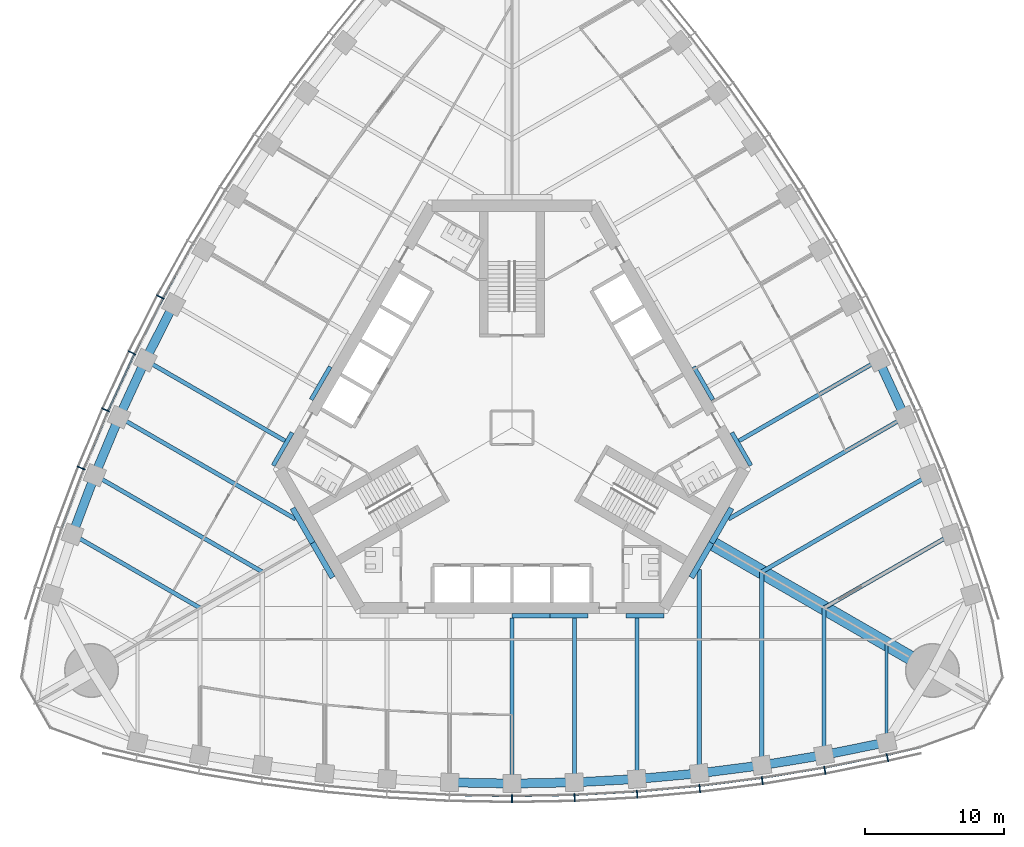
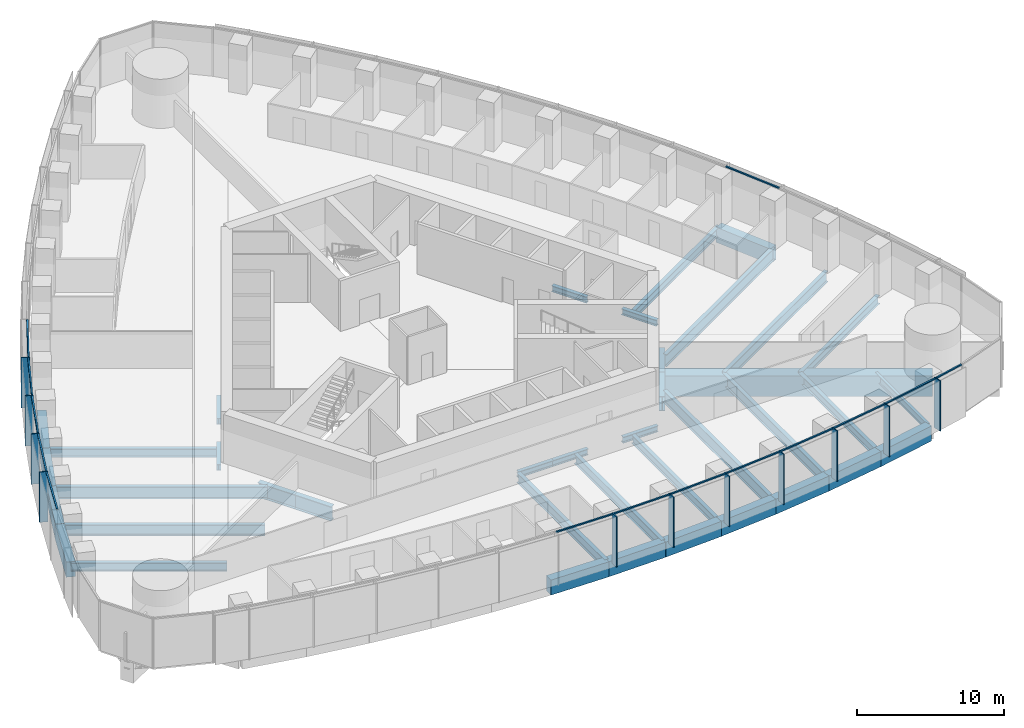
# One storey, part 3 of 19: 39 beams, 25 members, 3 elements without a shape of their own.
"""IFC4 building model written with IfcOpenShell, lengths in metres."""

from ifc_helpers import new_model, si_unit, direction, frame, origin, origin_2d, place, context, subcontext, project, spatial, rectangle, i_section, extrude, material, material_profile, profile_set, type_object, element, aggregate, save


model = new_model("IFC4")

# Units and contexts
model_context = context("Model", 3, precision=1e-05, world=origin(), true_north=direction((0.0, 1.0)))
body_context = subcontext(model_context, "Body", "Model", "MODEL_VIEW")
ifc_project = project(units=[si_unit("LENGTHUNIT", "METRE"), si_unit("AREAUNIT", "SQUARE_METRE"), si_unit("VOLUMEUNIT", "CUBIC_METRE"), si_unit("PLANEANGLEUNIT", "RADIAN"), si_unit("MASSUNIT", "GRAM", prefix="KILO")], contexts=[model_context])

# Site, building, storey
site_placement = place(None, origin())
site = spatial("IfcSite", under=ifc_project, at=site_placement, CompositionType="ELEMENT")
building_placement = place(site_placement, origin())
building = spatial("IfcBuilding", under=site, at=building_placement, Name="Trefoil Bronze Tower", CompositionType="ELEMENT")
storey_placement = place(building_placement, frame((0.0, 0.0, 136.699951171875)))
storey = spatial("IfcBuildingStorey", under=building, at=storey_placement, Name="L31", CompositionType="ELEMENT", Elevation=136.699951171875)

# Curtain wall, members
ifc_material_1 = material(Name="Tinted solar-control glass", Category="glass")
curtain_wall_type = type_object("IfcCurtainWallType", Name="Bronze office curtain wall", PredefinedType="USERDEFINED", material=ifc_material_1)
curtain_wall_1_placement = place(storey_placement, origin())
curtain_wall_1 = element("IfcCurtainWall", 1, at=curtain_wall_1_placement, inside=storey, type_object=curtain_wall_type, Name="CW-A L31 F1", ObjectType="CURTAIN WALL", PredefinedType="USERDEFINED")
ifc_material_2 = material(Name="Bronze-finish aluminium", Category="aluminium")
ifc_material_profile_1 = material_profile(ifc_material_2, rectangle(XDim=0.60009765625, YDim=0.080078125, at=origin_2d()), Name="CW-A mullion")
ifc_profile_set_1 = profile_set([ifc_material_profile_1], Name="Bronze-finish aluminium")
member_type_1 = type_object("IfcMemberType", Name="Bronze office curtain wall mullion", PredefinedType="MULLION", material=ifc_profile_set_1)
member_1_placement = place(storey_placement, frame((0.0, -26.749755859375, 0.0), z_axis=(0.0, 0.0, 1.0), x_axis=(0.0, 1.0, 0.0)))
member_1 = element("IfcMember", 2, at=member_1_placement, type_object=member_type_1, Name="CW-A L31 F1 mullion 8", PredefinedType="MULLION", context=body_context, shape_type="SweptSolid", body=[
    extrude(rectangle(XDim=0.60009765625, YDim=0.080078125, at=origin_2d()), origin(), (0.0, 0.0, 1.0), 4.179931640625),
])
member_2_placement = place(storey_placement, frame((4.5107421875, -26.66845703125, 0.0), z_axis=(0.0, 0.0, 1.0), x_axis=(-0.036047792107, 0.999350067136, 0.0)))
member_2 = element("IfcMember", 3, at=member_2_placement, type_object=member_type_1, Name="CW-A L31 F1 mullion 9", PredefinedType="MULLION", context=body_context, shape_type="SweptSolid", body=[
    extrude(rectangle(XDim=0.60009765625, YDim=0.080078125, at=origin_2d()), origin(), (0.0, 0.0, 1.0), 4.179931640625),
])
member_3_placement = place(storey_placement, frame((9.021728515625, -26.424072265625, 0.0), z_axis=(0.0, 0.0, 1.0), x_axis=(-0.072095676284, 0.997397720802, 0.0)))
member_3 = element("IfcMember", 4, at=member_3_placement, type_object=member_type_1, Name="CW-A L31 F1 mullion 10", PredefinedType="MULLION", context=body_context, shape_type="SweptSolid", body=[
    extrude(rectangle(XDim=0.60009765625, YDim=0.080078125, at=origin_2d()), origin(), (0.0, 0.0, 1.0), 4.179931640625),
])
member_4_placement = place(storey_placement, frame((13.532470703125, -26.01611328125, 0.0), z_axis=(0.0, 0.0, 1.0), x_axis=(-0.108143747013, 0.994135267447, 0.0)))
member_4 = element("IfcMember", 5, at=member_4_placement, type_object=member_type_1, Name="CW-A L31 F1 mullion 11", PredefinedType="MULLION", context=body_context, shape_type="SweptSolid", body=[
    extrude(rectangle(XDim=0.60009765625, YDim=0.080078125, at=origin_2d()), origin(), (0.0, 0.0, 1.0), 4.179931640625),
])
member_5_placement = place(storey_placement, frame((18.043212890625, -25.4423828125, 0.0), z_axis=(0.0, 0.0, 1.0), x_axis=(-0.144192103798, 0.989549714366, 0.0)))
member_5 = element("IfcMember", 6, at=member_5_placement, type_object=member_type_1, Name="CW-A L31 F1 mullion 12", PredefinedType="MULLION", context=body_context, shape_type="SweptSolid", body=[
    extrude(rectangle(XDim=0.60009765625, YDim=0.080078125, at=origin_2d()), origin(), (0.0, 0.0, 1.0), 4.179931640625),
])
member_6_placement = place(storey_placement, frame((22.553955078125, -24.700927734375, 0.0), z_axis=(0.0, 0.0, 1.0), x_axis=(-0.180240853954, 0.98362250613, 0.0)))
member_6 = element("IfcMember", 7, at=member_6_placement, type_object=member_type_1, Name="CW-A L31 F1 mullion 13", PredefinedType="MULLION", context=body_context, shape_type="SweptSolid", body=[
    extrude(rectangle(XDim=0.60009765625, YDim=0.080078125, at=origin_2d()), origin(), (0.0, 0.0, 1.0), 4.179931640625),
])
member_7_placement = place(storey_placement, frame((27.0634765625, -23.7890625, 0.0), z_axis=(0.0, 0.0, 1.0), x_axis=(-0.21197042503, 0.977276081214, 0.0)))
member_7 = element("IfcMember", 8, at=member_7_placement, type_object=member_type_1, Name="CW-A L31 F1 mullion 14", PredefinedType="MULLION", context=body_context, shape_type="SweptSolid", body=[
    extrude(rectangle(XDim=0.60009765625, YDim=0.080078125, at=origin_2d()), origin(), (0.0, 0.0, 1.0), 4.179931640625),
])

curtain_wall_2_placement = place(storey_placement, origin())
curtain_wall_2 = element("IfcCurtainWall", 9, at=curtain_wall_2_placement, inside=storey, type_object=curtain_wall_type, Name="CW-A L31 F3", ObjectType="CURTAIN WALL", PredefinedType="USERDEFINED")
member_8_placement = place(storey_placement, frame((-25.350830078125, 9.427734375, 0.0), z_axis=(0.0, 0.0, 1.0), x_axis=(0.883486441467, -0.468456729853, 0.0)))
member_8 = element("IfcMember", 10, at=member_8_placement, type_object=member_type_1, Name="CW-A L31 F3 mullion 9", PredefinedType="MULLION", context=body_context, shape_type="SweptSolid", body=[
    extrude(rectangle(XDim=0.60009765625, YDim=0.080078125, at=origin_2d()), origin(), (0.0, 0.0, 1.0), 4.179931640625),
])
member_9_placement = place(storey_placement, frame((-27.394775390625, 5.399169921875, 0.0), z_axis=(0.0, 0.0, 1.0), x_axis=(0.899819602033, -0.436262173236, 0.0)))
member_9 = element("IfcMember", 11, at=member_9_placement, type_object=member_type_1, Name="CW-A L31 F3 mullion 10", PredefinedType="MULLION", context=body_context, shape_type="SweptSolid", body=[
    extrude(rectangle(XDim=0.60009765625, YDim=0.080078125, at=origin_2d()), origin(), (0.0, 0.0, 1.0), 4.179931640625),
])
member_10_placement = place(storey_placement, frame((-29.296875, 1.28857421875, 0.0), z_axis=(0.0, 0.0, 1.0), x_axis=(0.915018269914, -0.40341240155, 0.0)))
member_10 = element("IfcMember", 12, at=member_10_placement, type_object=member_type_1, Name="CW-A L31 F3 mullion 11", PredefinedType="MULLION", context=body_context, shape_type="SweptSolid", body=[
    extrude(rectangle(XDim=0.60009765625, YDim=0.080078125, at=origin_2d()), origin(), (0.0, 0.0, 1.0), 4.179931640625),
])
member_11_placement = place(storey_placement, frame((-31.055419921875, -2.90478515625, 0.0), z_axis=(0.0, 0.0, 1.0), x_axis=(0.929071242848, -0.369900832269, 0.0)))
member_11 = element("IfcMember", 13, at=member_11_placement, type_object=member_type_1, Name="CW-A L31 F3 mullion 12", PredefinedType="MULLION", context=body_context, shape_type="SweptSolid", body=[
    extrude(rectangle(XDim=0.60009765625, YDim=0.080078125, at=origin_2d()), origin(), (0.0, 0.0, 1.0), 4.179931640625),
])

# Member
ifc_material_3 = material(Name="Bronze-finish aluminium", Category="aluminium")
ifc_material_profile_2 = material_profile(ifc_material_3, rectangle(XDim=0.1201171875, YDim=0.10009765625, at=origin_2d()), Name="CW-A transom")
ifc_profile_set_2 = profile_set([ifc_material_profile_2], Name="Bronze-finish aluminium")
member_type_2 = type_object("IfcMemberType", Name="Bronze office curtain wall transom", PredefinedType="USERDEFINED", material=ifc_profile_set_2)
member_12_placement = place(storey_placement, frame((-4.4619140625, -26.46923828125, 4.130126953125), z_axis=(0.999837930028, -0.018003157426, 0.0), x_axis=(0.018003157426, 0.999837930028, 0.0)))
member_12 = element("IfcMember", 14, at=member_12_placement, type_object=member_type_2, Name="CW-A L31 F1 transom 7", ObjectType="TRANSOM", PredefinedType="USERDEFINED", context=body_context, shape_type="SweptSolid", body=[
    extrude(rectangle(XDim=0.1201171875, YDim=0.10009765625, at=origin_2d()), origin(), (0.0, 0.0, 1.0), 4.4208984375),
])

member_13_placement = place(storey_placement, frame((0.041748046875, -26.548828125, 4.130126953125), z_axis=(0.999837930028, 0.018003157426, 0.0), x_axis=(-0.018003157426, 0.999837930028, 0.0)))
member_13 = element("IfcMember", 15, at=member_13_placement, type_object=member_type_2, Name="CW-A L31 F1 transom 8", ObjectType="TRANSOM", PredefinedType="USERDEFINED", context=body_context, shape_type="SweptSolid", body=[
    extrude(rectangle(XDim=0.1201171875, YDim=0.10009765625, at=origin_2d()), origin(), (0.0, 0.0, 1.0), 4.4208984375),
])

member_14_placement = place(storey_placement, frame((4.54541015625, -26.46630859375, 4.130126953125), z_axis=(0.998538253569, 0.054049571306, 0.0), x_axis=(-0.054049571306, 0.998538253569, 0.0)))
member_14 = element("IfcMember", 16, at=member_14_placement, type_object=member_type_2, Name="CW-A L31 F1 transom 9", ObjectType="TRANSOM", PredefinedType="USERDEFINED", context=body_context, shape_type="SweptSolid", body=[
    extrude(rectangle(XDim=0.1201171875, YDim=0.10009765625, at=origin_2d()), origin(), (0.0, 0.0, 1.0), 4.4267578125),
])

member_15_placement = place(storey_placement, frame((9.048828125, -26.220947265625, 4.130126953125), z_axis=(0.995932787062, 0.090099298863, 0.0), x_axis=(-0.090099298863, 0.995932787062, 0.0)))
member_15 = element("IfcMember", 17, at=member_15_placement, type_object=member_type_2, Name="CW-A L31 F1 transom 10", ObjectType="TRANSOM", PredefinedType="USERDEFINED", context=body_context, shape_type="SweptSolid", body=[
    extrude(rectangle(XDim=0.1201171875, YDim=0.10009765625, at=origin_2d()), origin(), (0.0, 0.0, 1.0), 4.4384765625),
])

member_16_placement = place(storey_placement, frame((13.55224609375, -25.81201171875, 4.130126953125), z_axis=(0.992008387848, 0.12617193998, 0.0), x_axis=(-0.12617193998, 0.992008387848, 0.0)))
member_16 = element("IfcMember", 18, at=member_16_placement, type_object=member_type_2, Name="CW-A L31 F1 transom 11", ObjectType="TRANSOM", PredefinedType="USERDEFINED", context=body_context, shape_type="SweptSolid", body=[
    extrude(rectangle(XDim=0.1201171875, YDim=0.10009765625, at=origin_2d()), origin(), (0.0, 0.0, 1.0), 4.456298828125),
])

member_17_placement = place(storey_placement, frame((18.0556640625, -25.23779296875, 4.130126953125), z_axis=(0.986755265284, 0.162216048636, 0.0), x_axis=(-0.162216048636, 0.986755265284, 0.0)))
member_17 = element("IfcMember", 19, at=member_17_placement, type_object=member_type_2, Name="CW-A L31 F1 transom 12", ObjectType="TRANSOM", PredefinedType="USERDEFINED", context=body_context, shape_type="SweptSolid", body=[
    extrude(rectangle(XDim=0.1201171875, YDim=0.10009765625, at=origin_2d()), origin(), (0.0, 0.0, 1.0), 4.48046875),
])

member_18_placement = place(storey_placement, frame((22.55908203125, -24.49609375, 4.130126953125), z_axis=(0.980153749225, 0.198238815273, 0.0), x_axis=(-0.198238815273, 0.980153749225, 0.0)))
member_18 = element("IfcMember", 20, at=member_18_placement, type_object=member_type_2, Name="CW-A L31 F1 transom 13", ObjectType="TRANSOM", PredefinedType="USERDEFINED", context=body_context, shape_type="SweptSolid", body=[
    extrude(rectangle(XDim=0.1201171875, YDim=0.10009765625, at=origin_2d()), origin(), (0.0, 0.0, 1.0), 4.51123046875),
])

member_19_placement = place(storey_placement, frame((27.0615234375, -23.584228515625, 4.130126953125), z_axis=(0.974206243495, 0.225659467196, 0.0), x_axis=(-0.225659467196, 0.974206243495, 0.0)))
member_19 = element("IfcMember", 21, at=member_19_placement, type_object=member_type_2, Name="CW-A L31 F1 transom 14", ObjectType="TRANSOM", PredefinedType="USERDEFINED", context=body_context, shape_type="SweptSolid", body=[
    extrude(rectangle(XDim=0.1201171875, YDim=0.10009765625, at=origin_2d()), origin(), (0.0, 0.0, 1.0), 2.340087890625),
])

aggregate(curtain_wall_1, [member_1, member_2, member_3, member_4, member_5, member_6, member_7, member_12, member_13, member_14, member_15, member_16, member_17, member_18, member_19])

# Curtain wall, member
curtain_wall_3_placement = place(storey_placement, origin())
curtain_wall_3 = element("IfcCurtainWall", 22, at=curtain_wall_3_placement, inside=storey, type_object=curtain_wall_type, Name="CW-A L31 F2", ObjectType="CURTAIN WALL", PredefinedType="USERDEFINED")
member_20_placement = place(storey_placement, frame((29.09619140625, 1.245849609375, 4.130126953125), z_axis=(-0.419923072198, 0.907559702409, 0.0), x_axis=(-0.907559702409, -0.419923072198, 0.0)))
member_20 = element("IfcMember", 23, at=member_20_placement, type_object=member_type_2, Name="CW-A L31 F2 transom 5", ObjectType="TRANSOM", PredefinedType="USERDEFINED", context=body_context, shape_type="SweptSolid", body=[
    extrude(rectangle(XDim=0.1201171875, YDim=0.10009765625, at=origin_2d()), origin(), (0.0, 0.0, 1.0), 4.4384765625),
])
aggregate(curtain_wall_3, [member_20])

# Member
member_21_placement = place(storey_placement, frame((-23.012939453125, 13.23828125, 4.130126953125), z_axis=(-0.484329470343, -0.874885686337, 0.0), x_axis=(0.874885686337, -0.484329470343, 0.0)))
member_21 = element("IfcMember", 24, at=member_21_placement, type_object=member_type_2, Name="CW-A L31 F3 transom 8", ObjectType="TRANSOM", PredefinedType="USERDEFINED", context=body_context, shape_type="SweptSolid", body=[
    extrude(rectangle(XDim=0.1201171875, YDim=0.10009765625, at=origin_2d()), origin(), (0.0, 0.0, 1.0), 4.4208984375),
])

member_22_placement = place(storey_placement, frame((-25.193115234375, 9.296630859375, 4.130126953125), z_axis=(-0.452478489814, -0.891775317138, 0.0), x_axis=(0.891775317138, -0.452478489814, 0.0)))
member_22 = element("IfcMember", 25, at=member_22_placement, type_object=member_type_2, Name="CW-A L31 F3 transom 9", ObjectType="TRANSOM", PredefinedType="USERDEFINED", context=body_context, shape_type="SweptSolid", body=[
    extrude(rectangle(XDim=0.1201171875, YDim=0.10009765625, at=origin_2d()), origin(), (0.0, 0.0, 1.0), 4.426513671875),
])

member_23_placement = place(storey_placement, frame((-27.232421875, 5.27392578125, 4.130126953125), z_axis=(-0.419923072198, -0.907559702409, 0.0), x_axis=(0.907559702409, -0.419923072198, 0.0)))
member_23 = element("IfcMember", 26, at=member_23_placement, type_object=member_type_2, Name="CW-A L31 F3 transom 10", ObjectType="TRANSOM", PredefinedType="USERDEFINED", context=body_context, shape_type="SweptSolid", body=[
    extrude(rectangle(XDim=0.1201171875, YDim=0.10009765625, at=origin_2d()), origin(), (0.0, 0.0, 1.0), 4.4384765625),
])

member_24_placement = place(storey_placement, frame((-29.1298828125, 1.16943359375, 4.130126953125), z_axis=(-0.386773266184, -0.922174842731, 0.0), x_axis=(0.922174842731, -0.386773266184, 0.0)))
member_24 = element("IfcMember", 27, at=member_24_placement, type_object=member_type_2, Name="CW-A L31 F3 transom 11", ObjectType="TRANSOM", PredefinedType="USERDEFINED", context=body_context, shape_type="SweptSolid", body=[
    extrude(rectangle(XDim=0.1201171875, YDim=0.10009765625, at=origin_2d()), origin(), (0.0, 0.0, 1.0), 4.45654296875),
])

member_25_placement = place(storey_placement, frame((-30.88427734375, -3.017822265625, 4.130126953125), z_axis=(-0.352932154759, -0.935648916067, 0.0), x_axis=(0.935648916067, -0.352932154759, 0.0)))
member_25 = element("IfcMember", 28, at=member_25_placement, type_object=member_type_2, Name="CW-A L31 F3 transom 12", ObjectType="TRANSOM", PredefinedType="USERDEFINED", context=body_context, shape_type="SweptSolid", body=[
    extrude(rectangle(XDim=0.1201171875, YDim=0.10009765625, at=origin_2d()), origin(), (0.0, 0.0, 1.0), 4.48046875),
])

aggregate(curtain_wall_2, [member_8, member_9, member_10, member_11, member_21, member_22, member_23, member_24, member_25])

# Beams
ifc_material_4 = material(Name="Steel C355", Category="steel")
ifc_material_profile_3 = material_profile(ifc_material_4, i_section(OverallWidth=0.300048828125, OverallDepth=0.5, WebThickness=0.014404296875, FlangeThickness=0.028076171875, FilletRadius=0.027099609375, at=origin_2d()), Name="HEB 500")
ifc_profile_set_3 = profile_set([ifc_material_profile_3], Name="Steel C355")
beam_type_1 = type_object("IfcBeamType", Name="Core seat beam HEB 500", PredefinedType="BEAM", material=ifc_profile_set_3)
for number, where, z_axis, x_axis, name in (
    (29, (0.0, -13.550048828125, -0.449951171875), (1.0, 0.0, 0.0), (0.0, 1.0, 0.0), "Core seat beam F1/+0 L31"),
    (30, (2.742431640625, -13.550048828125, -0.449951171875), (1.0, 0.0, 0.0), (0.0, 1.0, 0.0), "Core seat beam F1/+1 L31"),
    (31, (8.227294921875, -13.550048828125, -0.449951171875), (1.0, 0.0, 0.0), (0.0, 1.0, 0.0), "Core seat beam F1/+2 L31"),
    (32, (17.219482421875, -2.72509765625, -0.449951171875), (-0.500035825175, 0.866004719122, 0.0), (-0.866004719122, -0.500035825175, 0.0), "Core seat beam F2/-2 L31"),
    (33, (14.47705078125, 2.02490234375, -0.449951171875), (-0.499969057507, 0.866043267704, 0.0), (-0.866043267704, -0.499969057507, 0.0), "Core seat beam F2/-1 L31"),
    (34, (-13.10595703125, 4.39990234375, -0.449951171875), (-0.499969057507, -0.866043267704, 0.0), (0.866043267704, -0.499969057507, 0.0), "Core seat beam F3/+1 L31"),
    (35, (-15.84814453125, -0.35009765625, -0.449951171875), (-0.500035825175, -0.866004719122, 0.0), (0.866004719122, -0.500035825175, 0.0), "Core seat beam F3/+2 L31"),
):
    element("IfcBeam", number, at=place(storey_placement, frame(where, z_axis=z_axis, x_axis=x_axis)), inside=storey, type_object=beam_type_1, Name=name, PredefinedType="BEAM", context=body_context, shape_type="SweptSolid", body=[
        extrude(i_section(OverallWidth=0.300048828125, OverallDepth=0.5, WebThickness=0.014404296875, FlangeThickness=0.028076171875, FilletRadius=0.027099609375, at=origin_2d()), origin(), (0.0, 0.0, 1.0), 2.742431640625),
    ])
ifc_material_5 = material(Name="Steel C355", Category="steel")
ifc_material_profile_4 = material_profile(ifc_material_5, i_section(OverallWidth=0.39990234375, OverallDepth=1.199951171875, WebThickness=0.02001953125, FlangeThickness=0.0400390625, FilletRadius=0.010009765625, at=origin_2d()), Name="WPG 1200")
ifc_profile_set_4 = profile_set([ifc_material_profile_4], Name="Steel C355")
beam_type_2 = type_object("IfcBeamType", Name="Core seat beam WPG 1200", PredefinedType="BEAM", material=ifc_profile_set_4)
for number, where, z_axis, x_axis, name in (
    (36, (-14.3759765625, -8.300048828125, -0.800048828125), (0.499995765644, -0.866027848477, 0.0), (0.866027848477, 0.499995765644, 0.0), "Core seat beam F1/-3 L31"),
    (37, (12.9326171875, -10.800048828125, -0.800048828125), (0.499995765644, 0.866027848477, 0.0), (-0.866027848477, 0.499995765644, 0.0), "Core seat beam F1/+3 L31"),
    (38, (14.3759765625, -8.300048828125, -0.800048828125), (0.499995765644, 0.866027848477, 0.0), (-0.866027848477, 0.499995765644, 0.0), "Core seat beam F2/-3 L31"),
    (39, (-15.8193359375, -5.800048828125, -0.800048828125), (0.499995765644, -0.866027848477, 0.0), (0.866027848477, 0.499995765644, 0.0), "Core seat beam F3/+3 L31"),
):
    element("IfcBeam", number, at=place(storey_placement, frame(where, z_axis=z_axis, x_axis=x_axis)), inside=storey, type_object=beam_type_2, Name=name, PredefinedType="BEAM", context=body_context, shape_type="SweptSolid", body=[
        extrude(i_section(OverallWidth=0.39990234375, OverallDepth=1.199951171875, WebThickness=0.02001953125, FlangeThickness=0.0400390625, FilletRadius=0.010009765625, at=origin_2d()), origin(), (0.0, 0.0, 1.0), 2.88671875),
    ])
ifc_material_6 = material(Name="Concrete B80", Category="concrete")
ifc_material_profile_5 = material_profile(ifc_material_6, rectangle(XDim=1.0, YDim=1.699951171875, at=origin_2d()), Name="RC 1000x1700")
ifc_profile_set_5 = profile_set([ifc_material_profile_5], Name="Concrete B80")
beam_type_3 = type_object("IfcBeamType", Name="Corner girder RC 1000x1700", PredefinedType="BEAM", material=ifc_profile_set_5)
beam_1_placement = place(storey_placement, frame((14.202880859375, -8.199951171875, -1.050048828125), z_axis=(0.866022084834, -0.500005748546, 0.0), x_axis=(0.500005748546, 0.866022084834, 0.0)))
element("IfcBeam", 40, at=beam_1_placement, inside=storey, type_object=beam_type_3, Name="Corner girder K1 L31", PredefinedType="BEAM", context=body_context, shape_type="SweptSolid", body=[
    extrude(rectangle(XDim=1.0, YDim=1.699951171875, at=origin_2d()), origin(), (0.0, 0.0, 1.0), 18.599853515625),
])
ifc_material_7 = material(Name="Steel C355", Category="steel")
ifc_material_profile_6 = material_profile(ifc_material_7, i_section(OverallWidth=0.300048828125, OverallDepth=1.0, WebThickness=0.01904296875, FlangeThickness=0.035888671875, FilletRadius=0.030029296875, at=origin_2d()), Name="HEB 1000")
ifc_profile_set_6 = profile_set([ifc_material_profile_6], Name="Steel C355")
beam_type_4 = type_object("IfcBeamType", Name="Floor beam HEB 1000", PredefinedType="BEAM", material=ifc_profile_set_6)
for number, where, z_axis, x_axis, name in (
    (41, (13.5, -24.9130859375, -0.699951171875), (0.0, 1.0, 0.0), (-1.0, 0.0, 0.0), "Floor beam F1/+3 L31"),
    (42, (28.325439453125, 0.76513671875, -0.699951171875), (-0.866027342682, -0.499996641717, 0.0), (0.499996641717, -0.866027342682, 0.0), "Floor beam F2/-3 L31"),
    (43, (-28.325439453125, 0.76513671875, -0.699951171875), (0.866027342682, -0.499996641717, 0.0), (0.499996641717, 0.866027342682, 0.0), "Floor beam F3/+3 L31"),
):
    element("IfcBeam", number, at=place(storey_placement, frame(where, z_axis=z_axis, x_axis=x_axis)), inside=storey, type_object=beam_type_4, Name=name, PredefinedType="BEAM", context=body_context, shape_type="SweptSolid", body=[
        extrude(i_section(OverallWidth=0.300048828125, OverallDepth=1.0, WebThickness=0.01904296875, FlangeThickness=0.035888671875, FilletRadius=0.030029296875, at=origin_2d()), origin(), (0.0, 0.0, 1.0), 14.69580078125),
    ])
ifc_material_8 = material(Name="Steel C355", Category="steel")
ifc_material_profile_7 = material_profile(ifc_material_8, i_section(OverallWidth=0.300048828125, OverallDepth=0.699951171875, WebThickness=0.01708984375, FlangeThickness=0.031982421875, FilletRadius=0.027099609375, at=origin_2d()), Name="HEB 700")
ifc_profile_set_7 = profile_set([ifc_material_profile_7], Name="Steel C355")
beam_type_5 = type_object("IfcBeamType", Name="Floor beam HEB 700", PredefinedType="BEAM", material=ifc_profile_set_7)
beam_2_placement = place(storey_placement, frame((9.0, -25.32275390625, -0.550048828125), z_axis=(0.0, 1.0, 0.0), x_axis=(-1.0, 0.0, 0.0)))
element("IfcBeam", 44, at=beam_2_placement, inside=storey, type_object=beam_type_5, Name="Floor beam F1/+2 L31", PredefinedType="BEAM", context=body_context, shape_type="SweptSolid", body=[
    extrude(i_section(OverallWidth=0.300048828125, OverallDepth=0.699951171875, WebThickness=0.01708984375, FlangeThickness=0.031982421875, FilletRadius=0.027099609375, at=origin_2d()), origin(), (0.0, 0.0, 1.0), 11.622802734375),
])
beam_3_placement = place(storey_placement, frame((22.5, -23.592529296875, -0.550048828125), z_axis=(0.0, 1.0, 0.0), x_axis=(-1.0, 0.0, 0.0)))
element("IfcBeam", 45, at=beam_3_placement, inside=storey, type_object=beam_type_5, Name="Floor beam F1/+5 L31", PredefinedType="BEAM", context=body_context, shape_type="SweptSolid", body=[
    extrude(i_section(OverallWidth=0.300048828125, OverallDepth=0.699951171875, WebThickness=0.01708984375, FlangeThickness=0.031982421875, FilletRadius=0.027099609375, at=origin_2d()), origin(), (0.0, 0.0, 1.0), 10.60205078125),
])
beam_4_placement = place(storey_placement, frame((31.681884765625, -7.689208984375, -0.550048828125), z_axis=(-0.866021079084, -0.500007490527, 0.0), x_axis=(0.500007490527, -0.866021079084, 0.0)))
element("IfcBeam", 46, at=beam_4_placement, inside=storey, type_object=beam_type_5, Name="Floor beam F2/-5 L31", PredefinedType="BEAM", context=body_context, shape_type="SweptSolid", body=[
    extrude(i_section(OverallWidth=0.300048828125, OverallDepth=0.699951171875, WebThickness=0.01708984375, FlangeThickness=0.031982421875, FilletRadius=0.027099609375, at=origin_2d()), origin(), (0.0, 0.0, 1.0), 10.602294921875),
])
for number, where, z_axis, x_axis, name in (
    (47, (26.43017578125, 4.8671875, -0.550048828125), (-0.866021531335, -0.500006707218, 0.0), (0.500006707218, -0.866021531335, 0.0), "Floor beam F2/-2 L31"),
    (48, (-26.43017578125, 4.8671875, -0.550048828125), (0.866021531335, -0.500006707218, 0.0), (0.500006707218, 0.866021531335, 0.0), "Floor beam F3/+2 L31"),
):
    element("IfcBeam", number, at=place(storey_placement, frame(where, z_axis=z_axis, x_axis=x_axis)), inside=storey, type_object=beam_type_5, Name=name, PredefinedType="BEAM", context=body_context, shape_type="SweptSolid", body=[
        extrude(i_section(OverallWidth=0.300048828125, OverallDepth=0.699951171875, WebThickness=0.01708984375, FlangeThickness=0.031982421875, FilletRadius=0.027099609375, at=origin_2d()), origin(), (0.0, 0.0, 1.0), 11.622802734375),
    ])
beam_5_placement = place(storey_placement, frame((-31.681884765625, -7.689208984375, -0.550048828125), z_axis=(0.866021079084, -0.500007490527, 0.0), x_axis=(0.500007490527, 0.866021079084, 0.0)))
element("IfcBeam", 49, at=beam_5_placement, inside=storey, type_object=beam_type_5, Name="Floor beam F3/+5 L31", PredefinedType="BEAM", context=body_context, shape_type="SweptSolid", body=[
    extrude(i_section(OverallWidth=0.300048828125, OverallDepth=0.699951171875, WebThickness=0.01708984375, FlangeThickness=0.031982421875, FilletRadius=0.027099609375, at=origin_2d()), origin(), (0.0, 0.0, 1.0), 10.602294921875),
])
ifc_material_9 = material(Name="Steel C355", Category="steel")
ifc_material_profile_8 = material_profile(ifc_material_9, i_section(OverallWidth=0.300048828125, OverallDepth=0.800048828125, WebThickness=0.017578125, FlangeThickness=0.032958984375, FilletRadius=0.030029296875, at=origin_2d()), Name="HEB 800")
ifc_profile_set_8 = profile_set([ifc_material_profile_8], Name="Steel C355")
beam_type_6 = type_object("IfcBeamType", Name="Floor beam HEB 800", PredefinedType="BEAM", material=ifc_profile_set_8)
beam_6_placement = place(storey_placement, frame((0.0, -25.649658203125, -0.599853515625), z_axis=(0.0, 1.0, 0.0), x_axis=(-1.0, 0.0, 0.0)))
element("IfcBeam", 50, at=beam_6_placement, inside=storey, type_object=beam_type_6, Name="Floor beam F1/+0 L31", PredefinedType="BEAM", context=body_context, shape_type="SweptSolid", body=[
    extrude(i_section(OverallWidth=0.300048828125, OverallDepth=0.800048828125, WebThickness=0.017578125, FlangeThickness=0.032958984375, FilletRadius=0.030029296875, at=origin_2d()), origin(), (0.0, 0.0, 1.0), 11.94970703125),
])
beam_7_placement = place(storey_placement, frame((4.5, -25.568115234375, -0.599853515625), z_axis=(0.0, 1.0, 0.0), x_axis=(-1.0, 0.0, 0.0)))
element("IfcBeam", 51, at=beam_7_placement, inside=storey, type_object=beam_type_6, Name="Floor beam F1/+1 L31", PredefinedType="BEAM", context=body_context, shape_type="SweptSolid", body=[
    extrude(i_section(OverallWidth=0.300048828125, OverallDepth=0.800048828125, WebThickness=0.017578125, FlangeThickness=0.032958984375, FilletRadius=0.030029296875, at=origin_2d()), origin(), (0.0, 0.0, 1.0), 11.8681640625),
])
ifc_material_10 = material(Name="Steel C355", Category="steel")
ifc_material_profile_9 = material_profile(ifc_material_10, i_section(OverallWidth=0.300048828125, OverallDepth=0.89990234375, WebThickness=0.0185546875, FlangeThickness=0.034912109375, FilletRadius=0.030029296875, at=origin_2d()), Name="HEB 900")
ifc_profile_set_9 = profile_set([ifc_material_profile_9], Name="Steel C355")
beam_type_7 = type_object("IfcBeamType", Name="Floor beam HEB 900", PredefinedType="BEAM", material=ifc_profile_set_9)
for number, where, z_axis, x_axis, name in (
    (52, (18.0, -24.337158203125, -0.64990234375), (0.0, 1.0, 0.0), (-1.0, 0.0, 0.0), "Floor beam F1/+4 L31"),
    (53, (30.07666015625, -3.419921875, -0.64990234375), (-0.866026983775, -0.499997263366, 0.0), (0.499997263366, -0.866026983775, 0.0), "Floor beam F2/-4 L31"),
    (54, (-30.07666015625, -3.419921875, -0.64990234375), (0.866026983775, -0.499997263366, 0.0), (0.499997263366, 0.866026983775, 0.0), "Floor beam F3/+4 L31"),
):
    element("IfcBeam", number, at=place(storey_placement, frame(where, z_axis=z_axis, x_axis=x_axis)), inside=storey, type_object=beam_type_7, Name=name, PredefinedType="BEAM", context=body_context, shape_type="SweptSolid", body=[
        extrude(i_section(OverallWidth=0.300048828125, OverallDepth=0.89990234375, WebThickness=0.0185546875, FlangeThickness=0.034912109375, FilletRadius=0.030029296875, at=origin_2d()), origin(), (0.0, 0.0, 1.0), 13.94482421875),
    ])
ifc_material_11 = material(Name="Steel C355", Category="steel")
ifc_material_profile_10 = material_profile(ifc_material_11, i_section(OverallWidth=0.219970703125, OverallDepth=0.60009765625, WebThickness=0.011962890625, FlangeThickness=0.01904296875, FilletRadius=0.02392578125, at=origin_2d()), Name="IPE 600")
ifc_profile_set_10 = profile_set([ifc_material_profile_10], Name="Steel C355")
beam_type_8 = type_object("IfcBeamType", Name="Floor beam IPE 600", PredefinedType="BEAM", material=ifc_profile_set_10)
beam_8_placement = place(storey_placement, frame((27.0, -22.67724609375, -0.5), z_axis=(0.0, 1.0, 0.0), x_axis=(-1.0, 0.0, 0.0)))
element("IfcBeam", 55, at=beam_8_placement, inside=storey, type_object=beam_type_8, Name="Floor beam F1/+6 L31", PredefinedType="BEAM", context=body_context, shape_type="SweptSolid", body=[
    extrude(i_section(OverallWidth=0.219970703125, OverallDepth=0.60009765625, WebThickness=0.011962890625, FlangeThickness=0.01904296875, FilletRadius=0.02392578125, at=origin_2d()), origin(), (0.0, 0.0, 1.0), 7.0888671875),
])
ifc_material_12 = material(Name="Concrete B80", Category="concrete")
ifc_material_profile_11 = material_profile(ifc_material_12, rectangle(XDim=0.64990234375, YDim=1.25, at=origin_2d()), Name="RC 650x1250")
ifc_profile_set_11 = profile_set([ifc_material_profile_11], Name="Concrete B80")
beam_type_9 = type_object("IfcBeamType", Name="Spandrel beam RC 650x1250", PredefinedType="SPANDREL", material=ifc_profile_set_11)
for number, where, z_axis, x_axis, name in (
    (56, (-4.5, -25.568115234375, -0.824951171875), (0.999835861267, -0.01811768542, 0.0), (0.01811768542, 0.999835861267, 0.0), "Spandrel F1.7 L31"),
    (57, (0.0, -25.649658203125, -0.824951171875), (0.999835861267, 0.01811768542, 0.0), (-0.01811768542, 0.999835861267, 0.0), "Spandrel F1.8 L31"),
):
    element("IfcBeam", number, at=place(storey_placement, frame(where, z_axis=z_axis, x_axis=x_axis)), inside=storey, type_object=beam_type_9, Name=name, PredefinedType="SPANDREL", context=body_context, shape_type="SweptSolid", body=[
        extrude(rectangle(XDim=0.64990234375, YDim=1.25, at=origin_2d()), origin(), (0.0, 0.0, 1.0), 4.500732421875),
    ])
beam_9_placement = place(storey_placement, frame((4.5, -25.568115234375, -0.824951171875), z_axis=(0.998516832602, 0.054443870267, 0.0), x_axis=(-0.054443870267, 0.998516832602, 0.0)))
element("IfcBeam", 58, at=beam_9_placement, inside=storey, type_object=beam_type_9, Name="Spandrel F1.9 L31", PredefinedType="SPANDREL", context=body_context, shape_type="SweptSolid", body=[
    extrude(rectangle(XDim=0.64990234375, YDim=1.25, at=origin_2d()), origin(), (0.0, 0.0, 1.0), 4.506591796875),
])
beam_10_placement = place(storey_placement, frame((9.0, -25.32275390625, -0.824951171875), z_axis=(0.995881683815, 0.090662405894, 0.0), x_axis=(-0.090662405894, 0.995881683815, 0.0)))
element("IfcBeam", 59, at=beam_10_placement, inside=storey, type_object=beam_type_9, Name="Spandrel F1.10 L31", PredefinedType="SPANDREL", context=body_context, shape_type="SweptSolid", body=[
    extrude(rectangle(XDim=0.64990234375, YDim=1.25, at=origin_2d()), origin(), (0.0, 0.0, 1.0), 4.5185546875),
])
beam_11_placement = place(storey_placement, frame((13.5, -24.9130859375, -0.824951171875), z_axis=(0.991909314257, 0.126948463126, 0.0), x_axis=(-0.126948463126, 0.991909314257, 0.0)))
element("IfcBeam", 60, at=beam_11_placement, inside=storey, type_object=beam_type_9, Name="Spandrel F1.11 L31", PredefinedType="SPANDREL", context=body_context, shape_type="SweptSolid", body=[
    extrude(rectangle(XDim=0.64990234375, YDim=1.25, at=origin_2d()), origin(), (0.0, 0.0, 1.0), 4.53662109375),
])
beam_12_placement = place(storey_placement, frame((18.0, -24.337158203125, -0.824951171875), z_axis=(0.986584214684, 0.163253138823, 0.0), x_axis=(-0.163253138823, 0.986584214684, 0.0)))
element("IfcBeam", 61, at=beam_12_placement, inside=storey, type_object=beam_type_9, Name="Spandrel F1.12 L31", PredefinedType="SPANDREL", context=body_context, shape_type="SweptSolid", body=[
    extrude(rectangle(XDim=0.64990234375, YDim=1.25, at=origin_2d()), origin(), (0.0, 0.0, 1.0), 4.561279296875),
])
beam_13_placement = place(storey_placement, frame((22.5, -23.592529296875, -0.824951171875), z_axis=(0.979935430296, 0.199315208777, 0.0), x_axis=(-0.199315208777, 0.979935430296, 0.0)))
element("IfcBeam", 62, at=beam_13_placement, inside=storey, type_object=beam_type_9, Name="Spandrel F1.13 L31", PredefinedType="SPANDREL", context=body_context, shape_type="SweptSolid", body=[
    extrude(rectangle(XDim=0.64990234375, YDim=1.25, at=origin_2d()), origin(), (0.0, 0.0, 1.0), 4.592041015625),
])
beam_14_placement = place(storey_placement, frame((28.325439453125, 0.76513671875, -0.824951171875), z_axis=(-0.419424747755, 0.907790108434, 0.0), x_axis=(-0.907790108434, -0.419424747755, 0.0)))
element("IfcBeam", 63, at=beam_14_placement, inside=storey, type_object=beam_type_9, Name="Spandrel F2.5 L31", PredefinedType="SPANDREL", context=body_context, shape_type="SweptSolid", body=[
    extrude(rectangle(XDim=0.64990234375, YDim=1.25, at=origin_2d()), origin(), (0.0, 0.0, 1.0), 4.518798828125),
])
beam_15_placement = place(storey_placement, frame((-24.392578125, 8.886962890625, -0.824951171875), z_axis=(-0.452125717735, -0.891954222683, 0.0), x_axis=(0.891954222683, -0.452125717735, 0.0)))
element("IfcBeam", 64, at=beam_15_placement, inside=storey, type_object=beam_type_9, Name="Spandrel F3.9 L31", PredefinedType="SPANDREL", context=body_context, shape_type="SweptSolid", body=[
    extrude(rectangle(XDim=0.64990234375, YDim=1.25, at=origin_2d()), origin(), (0.0, 0.0, 1.0), 4.506591796875),
])
beam_16_placement = place(storey_placement, frame((-26.43017578125, 4.8671875, -0.824951171875), z_axis=(-0.419424747755, -0.907790108434, 0.0), x_axis=(0.907790108434, -0.419424747755, 0.0)))
element("IfcBeam", 65, at=beam_16_placement, inside=storey, type_object=beam_type_9, Name="Spandrel F3.10 L31", PredefinedType="SPANDREL", context=body_context, shape_type="SweptSolid", body=[
    extrude(rectangle(XDim=0.64990234375, YDim=1.25, at=origin_2d()), origin(), (0.0, 0.0, 1.0), 4.518798828125),
])
beam_17_placement = place(storey_placement, frame((-28.325439453125, 0.76513671875, -0.824951171875), z_axis=(-0.386013490858, -0.922493135408, 0.0), x_axis=(0.922493135408, -0.386013490858, 0.0)))
element("IfcBeam", 66, at=beam_17_placement, inside=storey, type_object=beam_type_9, Name="Spandrel F3.11 L31", PredefinedType="SPANDREL", context=body_context, shape_type="SweptSolid", body=[
    extrude(rectangle(XDim=0.64990234375, YDim=1.25, at=origin_2d()), origin(), (0.0, 0.0, 1.0), 4.53662109375),
])
beam_18_placement = place(storey_placement, frame((-30.07666015625, -3.419921875, -0.824951171875), z_axis=(-0.351938675523, -0.936023059904, 0.0), x_axis=(0.936023059904, -0.351938675523, 0.0)))
element("IfcBeam", 67, at=beam_18_placement, inside=storey, type_object=beam_type_9, Name="Spandrel F3.12 L31", PredefinedType="SPANDREL", context=body_context, shape_type="SweptSolid", body=[
    extrude(rectangle(XDim=0.64990234375, YDim=1.25, at=origin_2d()), origin(), (0.0, 0.0, 1.0), 4.56103515625),
])

save(model, "model.ifc")
